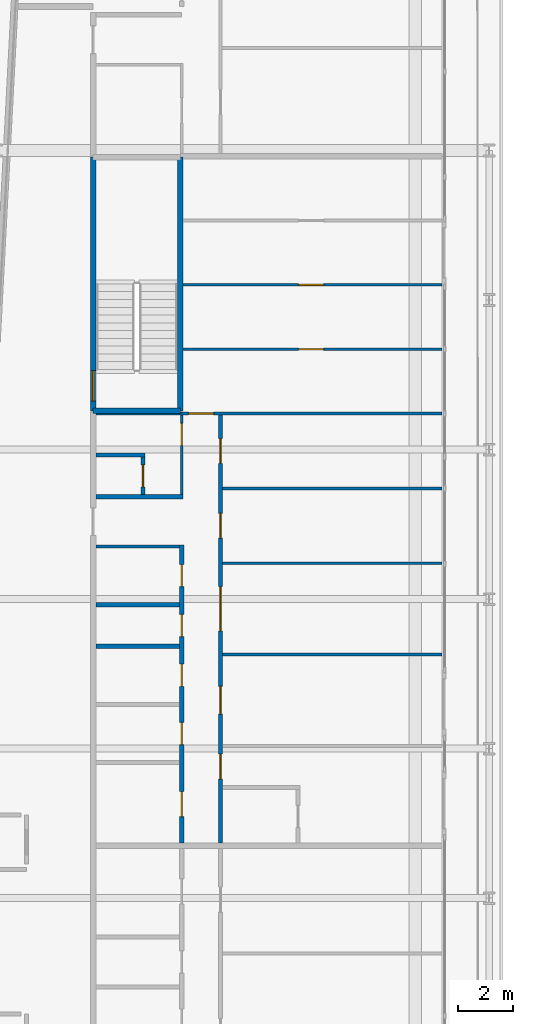
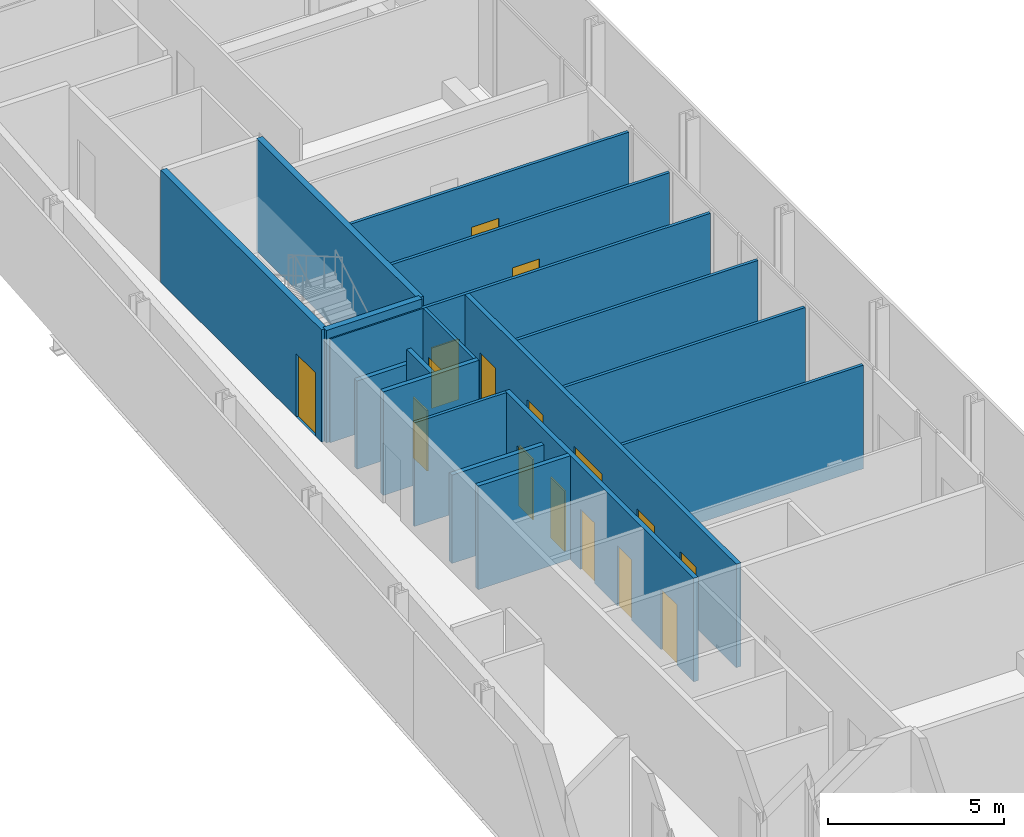
# One storey, part 18 of 28: 18 walls, 16 doors, 16 openings.
"""IFC4 building model written with IfcOpenShell, lengths in metres."""

from ifc_helpers import new_model, si_unit, direction, frame, frame_2d, origin, place, context, subcontext, project, spatial, rectangle, extrude, source, transform, mapped, material, layer, layer_set, type_object, element, fill, save


model = new_model("IFC4")

# Units and contexts
model_context = context("Model", 3, precision=1e-05, world=origin(), true_north=direction((0.0, 1.0)))
body_context = subcontext(model_context, "Body", "Model", "MODEL_VIEW")
ifc_project = project(units=[si_unit("LENGTHUNIT", "METRE"), si_unit("AREAUNIT", "SQUARE_METRE"), si_unit("VOLUMEUNIT", "CUBIC_METRE"), si_unit("PLANEANGLEUNIT", "RADIAN"), si_unit("MASSUNIT", "GRAM", prefix="KILO")], contexts=[model_context])

# Site, building, storey
site_placement = place(None, origin())
site = spatial("IfcSite", under=ifc_project, at=site_placement, CompositionType="ELEMENT")
building_placement = place(site_placement, origin())
building = spatial("IfcBuilding", under=site, at=building_placement, Name="Kheshtan School and Residences Tower", CompositionType="ELEMENT")
storey_placement = place(building_placement, frame((0.0, 0.0, 129.199951171875)))
storey = spatial("IfcBuildingStorey", under=building, at=storey_placement, Name="L30", CompositionType="ELEMENT", Elevation=129.199951171875)

# Wall
ifc_material_1 = material(Name="Gypsum board on steel studs", Category="steel")
ifc_layer_1 = layer(ifc_material_1, 0.10009765625)
ifc_layer_set_1 = layer_set([ifc_layer_1], Name="Gypsum partition 100")
wall_type_1 = type_object("IfcWallType", Name="Gypsum partition 100", PredefinedType="PARTITIONING", material=ifc_layer_set_1)
wall_1_placement = place(storey_placement, frame((33.39990234375, 74.5, 0.0), z_axis=(0.0, 0.0, 1.0), x_axis=(1.0, 0.0, 0.0)))
element("IfcWall", 1, at=wall_1_placement, inside=storey, type_object=wall_type_1, Name="Partition L30-014", PredefinedType="PARTITIONING", context=body_context, shape_type="SweptSolid", body=[
    extrude(rectangle(XDim=3.025146484375, YDim=0.10009765625, at=frame_2d((1.5126953125, 0.0))), origin(), (0.0, 0.0, 1.0), 3.60009765625),
])

# Wall, opening, door
wall_2_placement = place(storey_placement, frame((33.39990234375, 79.300048828125, 0.0), z_axis=(0.0, 0.0, 1.0), x_axis=(1.0, 0.0, 0.0)))
wall_2 = element("IfcWall", 2, at=wall_2_placement, inside=storey, type_object=wall_type_1, Name="Partition L30-017", PredefinedType="PARTITIONING", context=body_context, shape_type="SweptSolid", body=[
    extrude(rectangle(XDim=12.5, YDim=0.10009765625, at=frame_2d((6.25, 0.0))), origin(), (0.0, 0.0, 1.0), 3.60009765625),
])
opening_1_placement = place(wall_2_placement, frame((3.35009765625, 0.0, 0.0)))
opening_1 = element("IfcOpeningElement", 3, at=opening_1_placement, cuts=wall_2, Name="Opening D29-053", PredefinedType="OPENING", context=body_context, shape_type="SweptSolid", body=[
    extrude(rectangle(XDim=0.89990234375, YDim=2.10009765625, at=frame_2d((0.449951171875, 1.050048828125))), frame((0.0, 0.06005859375, 0.0), z_axis=(0.0, -1.0, 0.0), x_axis=(1.0, 0.0, 0.0)), (0.0, 0.0, 1.0), 0.1201171875),
])
ifc_material_2 = material(Name="Veneered timber door leaf", Category="wood")
door_type_1 = type_object("IfcDoorType", Name="Door 900 x 2100", OperationType="SINGLE_SWING_LEFT", PredefinedType="DOOR", material=ifc_material_2)
shared_shape_1 = source(origin(), body_context, "Body", "SweptSolid", [
    extrude(rectangle(XDim=0.89990234375, YDim=2.10009765625, at=frame_2d((0.449951171875, 1.050048828125))), frame((0.0, 0.02490234375, 0.0), z_axis=(0.0, -1.0, 0.0), x_axis=(1.0, 0.0, 0.0)), (0.0, 0.0, 1.0), 0.050048828125),
])
door_1_placement = place(opening_1_placement, origin())
door_1 = element("IfcDoor", 4, at=door_1_placement, inside=storey, type_object=door_type_1, Name="Door D29-053", OperationType="SINGLE_SWING_LEFT", OverallHeight=2.10009765625, OverallWidth=0.89990234375, PredefinedType="DOOR", context=body_context, shape_type="MappedRepresentation", body=[
    mapped(shared_shape_1, transform((0.0, 0.0, 0.0), x_axis=(1.0, 0.0, 0.0), y_axis=(0.0, 1.0, 0.0), z_axis=(0.0, 0.0, 1.0), scale=1.0)),
])
fill(opening_1, door_1)

wall_3_placement = place(storey_placement, frame((36.5, 76.375, 0.0), z_axis=(0.0, 0.0, 1.0), x_axis=(0.0, 1.0, 0.0)))
wall_3 = element("IfcWall", 5, at=wall_3_placement, inside=storey, type_object=wall_type_1, Name="Partition L30-026", PredefinedType="PARTITIONING", context=body_context, shape_type="SweptSolid", body=[
    extrude(rectangle(XDim=2.875, YDim=0.10009765625, at=frame_2d((1.4375, 0.0))), origin(), (0.0, 0.0, 1.0), 3.60009765625),
])
opening_2_placement = place(wall_3_placement, frame((1.77490234375, 0.0, 0.0)))
opening_2 = element("IfcOpeningElement", 6, at=opening_2_placement, cuts=wall_3, Name="Opening D29-048", PredefinedType="OPENING", context=body_context, shape_type="SweptSolid", body=[
    extrude(rectangle(XDim=0.800048828125, YDim=2.10009765625, at=frame_2d((0.39990234375, 1.050048828125))), frame((0.0, 0.06005859375, 0.0), z_axis=(0.0, -1.0, 0.0), x_axis=(1.0, 0.0, 0.0)), (0.0, 0.0, 1.0), 0.1201171875),
])
door_type_2 = type_object("IfcDoorType", Name="Door 800 x 2100", OperationType="SINGLE_SWING_LEFT", PredefinedType="DOOR", material=ifc_material_2)
shared_shape_2 = source(origin(), body_context, "Body", "SweptSolid", [
    extrude(rectangle(XDim=0.800048828125, YDim=2.10009765625, at=frame_2d((0.39990234375, 1.050048828125))), frame((0.0, 0.02490234375, 0.0), z_axis=(0.0, -1.0, 0.0), x_axis=(1.0, 0.0, 0.0)), (0.0, 0.0, 1.0), 0.050048828125),
])
door_2_placement = place(opening_2_placement, origin())
door_2 = element("IfcDoor", 7, at=door_2_placement, inside=storey, type_object=door_type_2, Name="Door D29-048", OperationType="SINGLE_SWING_RIGHT", OverallHeight=2.10009765625, OverallWidth=0.800048828125, PredefinedType="DOOR", context=body_context, shape_type="MappedRepresentation", body=[
    mapped(shared_shape_2, transform((0.0, 0.0, 0.0), x_axis=(1.0, 0.0, 0.0), y_axis=(0.0, 1.0, 0.0), z_axis=(0.0, 0.0, 1.0), scale=1.0)),
])
fill(opening_2, door_2)

wall_4_placement = place(storey_placement, frame((36.549072265625, 81.625, 0.0), z_axis=(0.0, 0.0, 1.0), x_axis=(1.0, 0.0, 0.0)))
wall_4 = element("IfcWall", 8, at=wall_4_placement, inside=storey, type_object=wall_type_1, Name="Partition L30-029", PredefinedType="PARTITIONING", context=body_context, shape_type="SweptSolid", body=[
    extrude(rectangle(XDim=9.350830078125, YDim=0.10009765625, at=frame_2d((4.67529296875, 0.0))), origin(), (0.0, 0.0, 1.0), 3.60009765625),
])
opening_3_placement = place(wall_4_placement, frame((4.176025390625, 0.0, 0.0)))
opening_3 = element("IfcOpeningElement", 9, at=opening_3_placement, cuts=wall_4, Name="Opening D29-054", PredefinedType="OPENING", context=body_context, shape_type="SweptSolid", body=[
    extrude(rectangle(XDim=0.89990234375, YDim=2.10009765625, at=frame_2d((0.449951171875, 1.050048828125))), frame((0.0, 0.06005859375, 0.0), z_axis=(0.0, -1.0, 0.0), x_axis=(1.0, 0.0, 0.0)), (0.0, 0.0, 1.0), 0.1201171875),
])
door_3_placement = place(opening_3_placement, origin())
door_3 = element("IfcDoor", 10, at=door_3_placement, inside=storey, type_object=door_type_1, Name="Door D29-054", OperationType="SINGLE_SWING_RIGHT", OverallHeight=2.10009765625, OverallWidth=0.89990234375, PredefinedType="DOOR", context=body_context, shape_type="MappedRepresentation", body=[
    mapped(shared_shape_1, transform((0.0, 0.0, 0.0), x_axis=(1.0, 0.0, 0.0), y_axis=(0.0, 1.0, 0.0), z_axis=(0.0, 0.0, 1.0), scale=1.0)),
])
fill(opening_3, door_3)

wall_5_placement = place(storey_placement, frame((36.549072265625, 83.949951171875, 0.0), z_axis=(0.0, 0.0, 1.0), x_axis=(1.0, 0.0, 0.0)))
wall_5 = element("IfcWall", 11, at=wall_5_placement, inside=storey, type_object=wall_type_1, Name="Partition L30-030", PredefinedType="PARTITIONING", context=body_context, shape_type="SweptSolid", body=[
    extrude(rectangle(XDim=9.350830078125, YDim=0.10009765625, at=frame_2d((4.67529296875, 0.0))), origin(), (0.0, 0.0, 1.0), 3.60009765625),
])
opening_4_placement = place(wall_5_placement, frame((4.176025390625, 0.0, 0.0)))
opening_4 = element("IfcOpeningElement", 12, at=opening_4_placement, cuts=wall_5, Name="Opening D29-055", PredefinedType="OPENING", context=body_context, shape_type="SweptSolid", body=[
    extrude(rectangle(XDim=0.89990234375, YDim=2.10009765625, at=frame_2d((0.449951171875, 1.050048828125))), frame((0.0, 0.06005859375, 0.0), z_axis=(0.0, -1.0, 0.0), x_axis=(1.0, 0.0, 0.0)), (0.0, 0.0, 1.0), 0.1201171875),
])
door_4_placement = place(opening_4_placement, origin())
door_4 = element("IfcDoor", 13, at=door_4_placement, inside=storey, type_object=door_type_1, Name="Door D29-055", OperationType="SINGLE_SWING_RIGHT", OverallHeight=2.10009765625, OverallWidth=0.89990234375, PredefinedType="DOOR", context=body_context, shape_type="MappedRepresentation", body=[
    mapped(shared_shape_1, transform((0.0, 0.0, 0.0), x_axis=(1.0, 0.0, 0.0), y_axis=(0.0, 1.0, 0.0), z_axis=(0.0, 0.0, 1.0), scale=1.0)),
])
fill(opening_4, door_4)

# Walls
for number, where, z_axis, x_axis, name in (
    (14, (37.97509765625, 70.60009765625, 0.0), (0.0, 0.0, 1.0), (1.0, 0.0, 0.0), "Partition L30-039"),
    (15, (37.97509765625, 73.89990234375, 0.0), (0.0, 0.0, 1.0), (1.0, 0.0, 0.0), "Partition L30-040"),
    (16, (37.97509765625, 76.60009765625, 0.0), (0.0, 0.0, 1.0), (1.0, 0.0, 0.0), "Partition L30-041"),
):
    element("IfcWall", number, at=place(storey_placement, frame(where, z_axis=z_axis, x_axis=x_axis)), inside=storey, type_object=wall_type_1, Name=name, PredefinedType="PARTITIONING", context=body_context, shape_type="SweptSolid", body=[
        extrude(rectangle(XDim=7.9248046875, YDim=0.10009765625, at=frame_2d((3.96240234375, 0.0))), origin(), (0.0, 0.0, 1.0), 3.60009765625),
    ])
ifc_material_3 = material(Name="Concrete C40/50", Category="concrete")
ifc_layer_2 = layer(ifc_material_3, 0.199951171875)
ifc_layer_set_2 = layer_set([ifc_layer_2], Name="Stair enclosure wall 200 Concrete C40/50")
wall_type_2 = type_object("IfcWallType", Name="Stair enclosure wall 200 Concrete C40/50", PredefinedType="SHEAR", material=ifc_layer_set_2)
wall_6_placement = place(storey_placement, frame((33.300048828125, 79.39990234375, 0.0), z_axis=(0.0, 0.0, 1.0), x_axis=(1.0, 0.0, 0.0)))
element("IfcWall", 17, at=wall_6_placement, inside=storey, type_object=wall_type_2, Name="Stair enclosure wall ST3", PredefinedType="SHEAR", context=body_context, shape_type="SweptSolid", body=[
    extrude(rectangle(XDim=3.14990234375, YDim=0.199951171875, at=frame_2d((1.574951171875, 0.0))), origin(), (0.0, 0.0, 1.0), 3.900146484375),
])

# Wall, opening, door
wall_7_placement = place(storey_placement, frame((33.300048828125, 79.39990234375, 0.0), z_axis=(0.0, 0.0, 1.0), x_axis=(0.0, 1.0, 0.0)))
wall_7 = element("IfcWall", 18, at=wall_7_placement, inside=storey, type_object=wall_type_2, Name="Stair enclosure wall ST3", PredefinedType="SHEAR", context=body_context, shape_type="SweptSolid", body=[
    extrude(rectangle(XDim=9.16015625, YDim=0.199951171875, at=frame_2d((4.580078125, 0.0))), origin(), (0.0, 0.0, 1.0), 3.900146484375),
])
opening_5_placement = place(wall_7_placement, frame((0.35009765625, 0.0, 0.0)))
opening_5 = element("IfcOpeningElement", 19, at=opening_5_placement, cuts=wall_7, Name="Opening ST3D", PredefinedType="OPENING", context=body_context, shape_type="SweptSolid", body=[
    extrude(rectangle(XDim=1.10009765625, YDim=2.199951171875, at=frame_2d((0.550048828125, 1.10009765625))), frame((0.0, 0.10986328125, 0.0), z_axis=(0.0, -1.0, 0.0), x_axis=(1.0, 0.0, 0.0)), (0.0, 0.0, 1.0), 0.219970703125),
])
ifc_material_4 = material(Name="Steel door leaf, galvanised", Category="steel")
door_type_3 = type_object("IfcDoorType", Name="Stair door 1100 steel 90 min", OperationType="SINGLE_SWING_LEFT", PredefinedType="DOOR", material=ifc_material_4)
shared_shape_3 = source(origin(), body_context, "Body", "SweptSolid", [
    extrude(rectangle(XDim=1.10009765625, YDim=2.199951171875, at=frame_2d((0.550048828125, 1.10009765625))), frame((0.0, 0.02490234375, 0.0), z_axis=(0.0, -1.0, 0.0), x_axis=(1.0, 0.0, 0.0)), (0.0, 0.0, 1.0), 0.050048828125),
])
door_5_placement = place(opening_5_placement, origin())
door_5 = element("IfcDoor", 20, at=door_5_placement, inside=storey, type_object=door_type_3, Name="Stair ST3 door", OperationType="SINGLE_SWING_RIGHT", OverallHeight=2.199951171875, OverallWidth=1.10009765625, PredefinedType="DOOR", context=body_context, shape_type="MappedRepresentation", body=[
    mapped(shared_shape_3, transform((0.0, 0.0, 0.0), x_axis=(1.0, 0.0, 0.0), y_axis=(0.0, 1.0, 0.0), z_axis=(0.0, 0.0, 1.0), scale=1.0)),
])
fill(opening_5, door_5)

# Walls
wall_8_placement = place(storey_placement, frame((36.449951171875, 79.39990234375, 0.0), z_axis=(0.0, 0.0, 1.0), x_axis=(0.0, 1.0, 0.0)))
element("IfcWall", 21, at=wall_8_placement, inside=storey, type_object=wall_type_2, Name="Stair enclosure wall ST3", PredefinedType="SHEAR", context=body_context, shape_type="SweptSolid", body=[
    extrude(rectangle(XDim=9.16015625, YDim=0.199951171875, at=frame_2d((4.580078125, 0.0))), origin(), (0.0, 0.0, 1.0), 3.900146484375),
])
ifc_material_5 = material(Name="Moisture-resistant gypsum board on steel studs", Category="steel")
ifc_layer_3 = layer(ifc_material_5, 0.14990234375)
ifc_layer_set_3 = layer_set([ifc_layer_3], Name="Wet-room partition 150")
wall_type_3 = type_object("IfcWallType", Name="Wet-room partition 150", PredefinedType="PARTITIONING", material=ifc_layer_set_3)
wall_9_placement = place(storey_placement, frame((33.39990234375, 70.89990234375, 0.0), z_axis=(0.0, 0.0, 1.0), x_axis=(1.0, 0.0, 0.0)))
element("IfcWall", 22, at=wall_9_placement, inside=storey, type_object=wall_type_3, Name="Partition L30-012", PredefinedType="PARTITIONING", context=body_context, shape_type="SweptSolid", body=[
    extrude(rectangle(XDim=3.025146484375, YDim=0.14990234375, at=frame_2d((1.5126953125, 0.0))), origin(), (0.0, 0.0, 1.0), 3.60009765625),
])
wall_10_placement = place(storey_placement, frame((33.39990234375, 72.39990234375, 0.0), z_axis=(0.0, 0.0, 1.0), x_axis=(1.0, 0.0, 0.0)))
element("IfcWall", 23, at=wall_10_placement, inside=storey, type_object=wall_type_3, Name="Partition L30-013", PredefinedType="PARTITIONING", context=body_context, shape_type="SweptSolid", body=[
    extrude(rectangle(XDim=3.025146484375, YDim=0.14990234375, at=frame_2d((1.5126953125, 0.0))), origin(), (0.0, 0.0, 1.0), 3.072021484375),
])
wall_11_placement = place(storey_placement, frame((33.39990234375, 76.300048828125, 0.0), z_axis=(0.0, 0.0, 1.0), x_axis=(1.0, 0.0, 0.0)))
element("IfcWall", 24, at=wall_11_placement, inside=storey, type_object=wall_type_3, Name="Partition L30-015", PredefinedType="PARTITIONING", context=body_context, shape_type="SweptSolid", body=[
    extrude(rectangle(XDim=3.150146484375, YDim=0.14990234375, at=frame_2d((1.5751953125, 0.0))), origin(), (0.0, 0.0, 1.0), 3.60009765625),
])
wall_12_placement = place(storey_placement, frame((33.39990234375, 77.800048828125, 0.0), z_axis=(0.0, 0.0, 1.0), x_axis=(1.0, 0.0, 0.0)))
element("IfcWall", 25, at=wall_12_placement, inside=storey, type_object=wall_type_3, Name="Partition L30-016", PredefinedType="PARTITIONING", context=body_context, shape_type="SweptSolid", body=[
    extrude(rectangle(XDim=1.775146484375, YDim=0.14990234375, at=frame_2d((0.8876953125, 0.0))), origin(), (0.0, 0.0, 1.0), 3.072021484375),
])

# Wall, opening, door
wall_13_placement = place(storey_placement, frame((35.10009765625, 76.375, 0.0), z_axis=(0.0, 0.0, 1.0), x_axis=(0.0, 1.0, 0.0)))
wall_13 = element("IfcWall", 26, at=wall_13_placement, inside=storey, type_object=wall_type_3, Name="Partition L30-022", PredefinedType="PARTITIONING", context=body_context, shape_type="SweptSolid", body=[
    extrude(rectangle(XDim=1.35009765625, YDim=0.14990234375, at=frame_2d((0.675048828125, 0.0))), origin(), (0.0, 0.0, 1.0), 3.60009765625),
])
opening_6_placement = place(wall_13_placement, frame((0.27490234375, 0.0, 0.0)))
opening_6 = element("IfcOpeningElement", 27, at=opening_6_placement, cuts=wall_13, Name="Opening D29-049", PredefinedType="OPENING", context=body_context, shape_type="SweptSolid", body=[
    extrude(rectangle(XDim=0.800048828125, YDim=2.10009765625, at=frame_2d((0.39990234375, 1.050048828125))), frame((0.0, 0.0849609375, 0.0), z_axis=(0.0, -1.0, 0.0), x_axis=(1.0, 0.0, 0.0)), (0.0, 0.0, 1.0), 0.169921875),
])
door_6_placement = place(opening_6_placement, origin())
door_6 = element("IfcDoor", 28, at=door_6_placement, inside=storey, type_object=door_type_2, Name="Door D29-049", OperationType="SINGLE_SWING_LEFT", OverallHeight=2.10009765625, OverallWidth=0.800048828125, PredefinedType="DOOR", context=body_context, shape_type="MappedRepresentation", body=[
    mapped(shared_shape_2, transform((0.0, 0.0, 0.0), x_axis=(1.0, 0.0, 0.0), y_axis=(0.0, 1.0, 0.0), z_axis=(0.0, 0.0, 1.0), scale=1.0)),
])
fill(opening_6, door_6)

# Wall, openings, doors
wall_14_placement = place(storey_placement, frame((36.5, 63.800048828125, 0.0), z_axis=(0.0, 0.0, 1.0), x_axis=(0.0, 1.0, 0.0)))
wall_14 = element("IfcWall", 29, at=wall_14_placement, inside=storey, type_object=wall_type_3, Name="Partition L30-025", PredefinedType="PARTITIONING", context=body_context, shape_type="SweptSolid", body=[
    extrude(rectangle(XDim=10.75, YDim=0.14990234375, at=frame_2d((5.375, 0.0))), origin(), (0.0, 0.0, 1.0), 3.60009765625),
])
opening_7_placement = place(wall_14_placement, frame((3.550048828125, 0.0, 0.0)))
opening_7 = element("IfcOpeningElement", 30, at=opening_7_placement, cuts=wall_14, Name="Opening D29-039", PredefinedType="OPENING", context=body_context, shape_type="SweptSolid", body=[
    extrude(rectangle(XDim=0.800048828125, YDim=2.10009765625, at=frame_2d((0.39990234375, 1.050048828125))), frame((0.0, 0.0849609375, 0.0), z_axis=(0.0, -1.0, 0.0), x_axis=(1.0, 0.0, 0.0)), (0.0, 0.0, 1.0), 0.169921875),
])
opening_8_placement = place(wall_14_placement, frame((5.64990234375, 0.0, 0.0)))
opening_8 = element("IfcOpeningElement", 31, at=opening_8_placement, cuts=wall_14, Name="Opening D29-040", PredefinedType="OPENING", context=body_context, shape_type="SweptSolid", body=[
    extrude(rectangle(XDim=0.800048828125, YDim=2.10009765625, at=frame_2d((0.39990234375, 1.050048828125))), frame((0.0, 0.0849609375, 0.0), z_axis=(0.0, -1.0, 0.0), x_axis=(1.0, 0.0, 0.0)), (0.0, 0.0, 1.0), 0.169921875),
])
opening_9_placement = place(wall_14_placement, frame((9.25, 0.0, 0.0)))
opening_9 = element("IfcOpeningElement", 32, at=opening_9_placement, cuts=wall_14, Name="Opening D29-043", PredefinedType="OPENING", context=body_context, shape_type="SweptSolid", body=[
    extrude(rectangle(XDim=0.800048828125, YDim=2.10009765625, at=frame_2d((0.39990234375, 1.050048828125))), frame((0.0, 0.0849609375, 0.0), z_axis=(0.0, -1.0, 0.0), x_axis=(1.0, 0.0, 0.0)), (0.0, 0.0, 1.0), 0.169921875),
])
opening_10_placement = place(wall_14_placement, frame((0.949951171875, 0.0, 0.0)))
opening_10 = element("IfcOpeningElement", 33, at=opening_10_placement, cuts=wall_14, Name="Opening D29-046", PredefinedType="OPENING", context=body_context, shape_type="SweptSolid", body=[
    extrude(rectangle(XDim=0.89990234375, YDim=2.10009765625, at=frame_2d((0.449951171875, 1.050048828125))), frame((0.0, 0.0849609375, 0.0), z_axis=(0.0, -1.0, 0.0), x_axis=(1.0, 0.0, 0.0)), (0.0, 0.0, 1.0), 0.169921875),
])
opening_11_placement = place(wall_14_placement, frame((7.449951171875, 0.0, 0.0)))
opening_11 = element("IfcOpeningElement", 34, at=opening_11_placement, cuts=wall_14, Name="Opening D29-052", PredefinedType="OPENING", context=body_context, shape_type="SweptSolid", body=[
    extrude(rectangle(XDim=0.800048828125, YDim=2.10009765625, at=frame_2d((0.39990234375, 1.050048828125))), frame((0.0, 0.0849609375, 0.0), z_axis=(0.0, -1.0, 0.0), x_axis=(1.0, 0.0, 0.0)), (0.0, 0.0, 1.0), 0.169921875),
])
door_7_placement = place(opening_7_placement, origin())
door_7 = element("IfcDoor", 35, at=door_7_placement, inside=storey, type_object=door_type_2, Name="Door D29-039", OperationType="SINGLE_SWING_RIGHT", OverallHeight=2.10009765625, OverallWidth=0.800048828125, PredefinedType="DOOR", context=body_context, shape_type="MappedRepresentation", body=[
    mapped(shared_shape_2, transform((0.0, 0.0, 0.0), x_axis=(1.0, 0.0, 0.0), y_axis=(0.0, 1.0, 0.0), z_axis=(0.0, 0.0, 1.0), scale=1.0)),
])
fill(opening_7, door_7)
door_8_placement = place(opening_8_placement, origin())
door_8 = element("IfcDoor", 36, at=door_8_placement, inside=storey, type_object=door_type_2, Name="Door D29-040", OperationType="SINGLE_SWING_RIGHT", OverallHeight=2.10009765625, OverallWidth=0.800048828125, PredefinedType="DOOR", context=body_context, shape_type="MappedRepresentation", body=[
    mapped(shared_shape_2, transform((0.0, 0.0, 0.0), x_axis=(1.0, 0.0, 0.0), y_axis=(0.0, 1.0, 0.0), z_axis=(0.0, 0.0, 1.0), scale=1.0)),
])
fill(opening_8, door_8)
door_9_placement = place(opening_9_placement, origin())
door_9 = element("IfcDoor", 37, at=door_9_placement, inside=storey, type_object=door_type_2, Name="Door D29-043", OperationType="SINGLE_SWING_RIGHT", OverallHeight=2.10009765625, OverallWidth=0.800048828125, PredefinedType="DOOR", context=body_context, shape_type="MappedRepresentation", body=[
    mapped(shared_shape_2, transform((0.0, 0.0, 0.0), x_axis=(1.0, 0.0, 0.0), y_axis=(0.0, 1.0, 0.0), z_axis=(0.0, 0.0, 1.0), scale=1.0)),
])
fill(opening_9, door_9)
door_10_placement = place(opening_11_placement, origin())
door_10 = element("IfcDoor", 38, at=door_10_placement, inside=storey, type_object=door_type_2, Name="Door D29-052", OperationType="SINGLE_SWING_RIGHT", OverallHeight=2.10009765625, OverallWidth=0.800048828125, PredefinedType="DOOR", context=body_context, shape_type="MappedRepresentation", body=[
    mapped(shared_shape_2, transform((0.0, 0.0, 0.0), x_axis=(1.0, 0.0, 0.0), y_axis=(0.0, 1.0, 0.0), z_axis=(0.0, 0.0, 1.0), scale=1.0)),
])
fill(opening_11, door_10)
door_11_placement = place(opening_10_placement, origin())
door_11 = element("IfcDoor", 39, at=door_11_placement, inside=storey, type_object=door_type_1, Name="Door D29-046", OperationType="SINGLE_SWING_RIGHT", OverallHeight=2.10009765625, OverallWidth=0.89990234375, PredefinedType="DOOR", context=body_context, shape_type="MappedRepresentation", body=[
    mapped(shared_shape_1, transform((0.0, 0.0, 0.0), x_axis=(1.0, 0.0, 0.0), y_axis=(0.0, 1.0, 0.0), z_axis=(0.0, 0.0, 1.0), scale=1.0)),
])
fill(opening_10, door_11)

wall_15_placement = place(storey_placement, frame((37.89990234375, 63.800048828125, 0.0), z_axis=(0.0, 0.0, 1.0), x_axis=(0.0, 1.0, 0.0)))
wall_15 = element("IfcWall", 40, at=wall_15_placement, inside=storey, type_object=wall_type_3, Name="Partition L30-033", PredefinedType="PARTITIONING", context=body_context, shape_type="SweptSolid", body=[
    extrude(rectangle(XDim=15.449951171875, YDim=0.14990234375, at=frame_2d((7.72509765625, 0.0))), origin(), (0.0, 0.0, 1.0), 3.60009765625),
])
opening_12_placement = place(wall_15_placement, frame((11.0, 0.0, 0.0)))
opening_12 = element("IfcOpeningElement", 41, at=opening_12_placement, cuts=wall_15, Name="Opening D29-041", PredefinedType="OPENING", context=body_context, shape_type="SweptSolid", body=[
    extrude(rectangle(XDim=0.89990234375, YDim=2.10009765625, at=frame_2d((0.449951171875, 1.050048828125))), frame((0.0, 0.0849609375, 0.0), z_axis=(0.0, -1.0, 0.0), x_axis=(1.0, 0.0, 0.0)), (0.0, 0.0, 1.0), 0.169921875),
])
opening_13_placement = place(wall_15_placement, frame((13.699951171875, 0.0, 0.0)))
opening_13 = element("IfcOpeningElement", 42, at=opening_13_placement, cuts=wall_15, Name="Opening D29-042", PredefinedType="OPENING", context=body_context, shape_type="SweptSolid", body=[
    extrude(rectangle(XDim=0.89990234375, YDim=2.10009765625, at=frame_2d((0.449951171875, 1.050048828125))), frame((0.0, 0.0849609375, 0.0), z_axis=(0.0, -1.0, 0.0), x_axis=(1.0, 0.0, 0.0)), (0.0, 0.0, 1.0), 0.169921875),
])
opening_14_placement = place(wall_15_placement, frame((4.64990234375, 0.0, 0.0)))
opening_14 = element("IfcOpeningElement", 43, at=opening_14_placement, cuts=wall_15, Name="Opening D29-047", PredefinedType="OPENING", context=body_context, shape_type="SweptSolid", body=[
    extrude(rectangle(XDim=1.0, YDim=2.10009765625, at=frame_2d((0.5, 1.050048828125))), frame((0.0, 0.0849609375, 0.0), z_axis=(0.0, -1.0, 0.0), x_axis=(1.0, 0.0, 0.0)), (0.0, 0.0, 1.0), 0.169921875),
])
opening_15_placement = place(wall_15_placement, frame((7.64990234375, 0.0, 0.0)))
opening_15 = element("IfcOpeningElement", 44, at=opening_15_placement, cuts=wall_15, Name="Opening D29-050", PredefinedType="OPENING", context=body_context, shape_type="SweptSolid", body=[
    extrude(rectangle(XDim=1.60009765625, YDim=2.10009765625, at=frame_2d((0.800048828125, 1.050048828125))), frame((0.0, 0.0849609375, 0.0), z_axis=(0.0, -1.0, 0.0), x_axis=(1.0, 0.0, 0.0)), (0.0, 0.0, 1.0), 0.169921875),
])
opening_16_placement = place(wall_15_placement, frame((2.300048828125, 0.0, 0.0)))
opening_16 = element("IfcOpeningElement", 45, at=opening_16_placement, cuts=wall_15, Name="Opening D29-051", PredefinedType="OPENING", context=body_context, shape_type="SweptSolid", body=[
    extrude(rectangle(XDim=0.89990234375, YDim=2.10009765625, at=frame_2d((0.449951171875, 1.050048828125))), frame((0.0, 0.0849609375, 0.0), z_axis=(0.0, -1.0, 0.0), x_axis=(1.0, 0.0, 0.0)), (0.0, 0.0, 1.0), 0.169921875),
])
door_type_4 = type_object("IfcDoorType", Name="Door 1000 x 2100", OperationType="SINGLE_SWING_LEFT", PredefinedType="DOOR", material=ifc_material_2)
shared_shape_4 = source(origin(), body_context, "Body", "SweptSolid", [
    extrude(rectangle(XDim=1.0, YDim=2.10009765625, at=frame_2d((0.5, 1.050048828125))), frame((0.0, 0.02490234375, 0.0), z_axis=(0.0, -1.0, 0.0), x_axis=(1.0, 0.0, 0.0)), (0.0, 0.0, 1.0), 0.050048828125),
])
door_12_placement = place(opening_14_placement, origin())
door_12 = element("IfcDoor", 46, at=door_12_placement, inside=storey, type_object=door_type_4, Name="Door D29-047", OperationType="SINGLE_SWING_LEFT", OverallHeight=2.10009765625, OverallWidth=1.0, PredefinedType="DOOR", context=body_context, shape_type="MappedRepresentation", body=[
    mapped(shared_shape_4, transform((0.0, 0.0, 0.0), x_axis=(1.0, 0.0, 0.0), y_axis=(0.0, 1.0, 0.0), z_axis=(0.0, 0.0, 1.0), scale=1.0)),
])
fill(opening_14, door_12)
door_13_placement = place(opening_12_placement, origin())
door_13 = element("IfcDoor", 47, at=door_13_placement, inside=storey, type_object=door_type_1, Name="Door D29-041", OperationType="SINGLE_SWING_LEFT", OverallHeight=2.10009765625, OverallWidth=0.89990234375, PredefinedType="DOOR", context=body_context, shape_type="MappedRepresentation", body=[
    mapped(shared_shape_1, transform((0.0, 0.0, 0.0), x_axis=(1.0, 0.0, 0.0), y_axis=(0.0, 1.0, 0.0), z_axis=(0.0, 0.0, 1.0), scale=1.0)),
])
fill(opening_12, door_13)
door_14_placement = place(opening_13_placement, origin())
door_14 = element("IfcDoor", 48, at=door_14_placement, inside=storey, type_object=door_type_1, Name="Door D29-042", OperationType="SINGLE_SWING_RIGHT", OverallHeight=2.10009765625, OverallWidth=0.89990234375, PredefinedType="DOOR", context=body_context, shape_type="MappedRepresentation", body=[
    mapped(shared_shape_1, transform((0.0, 0.0, 0.0), x_axis=(1.0, 0.0, 0.0), y_axis=(0.0, 1.0, 0.0), z_axis=(0.0, 0.0, 1.0), scale=1.0)),
])
fill(opening_13, door_14)
door_15_placement = place(opening_16_placement, origin())
door_15 = element("IfcDoor", 49, at=door_15_placement, inside=storey, type_object=door_type_1, Name="Door D29-051", OperationType="SINGLE_SWING_RIGHT", OverallHeight=2.10009765625, OverallWidth=0.89990234375, PredefinedType="DOOR", context=body_context, shape_type="MappedRepresentation", body=[
    mapped(shared_shape_1, transform((0.0, 0.0, 0.0), x_axis=(1.0, 0.0, 0.0), y_axis=(0.0, 1.0, 0.0), z_axis=(0.0, 0.0, 1.0), scale=1.0)),
])
fill(opening_16, door_15)
door_type_5 = type_object("IfcDoorType", Name="Double door 1600 x 2100", OperationType="DOUBLE_DOOR_SINGLE_SWING", PredefinedType="DOOR", material=ifc_material_2)
shared_shape_5 = source(origin(), body_context, "Body", "SweptSolid", [
    extrude(rectangle(XDim=1.60009765625, YDim=2.10009765625, at=frame_2d((0.800048828125, 1.050048828125))), frame((0.0, 0.02490234375, 0.0), z_axis=(0.0, -1.0, 0.0), x_axis=(1.0, 0.0, 0.0)), (0.0, 0.0, 1.0), 0.050048828125),
])
door_16_placement = place(opening_15_placement, origin())
door_16 = element("IfcDoor", 50, at=door_16_placement, inside=storey, type_object=door_type_5, Name="Door D29-050", OperationType="DOUBLE_DOOR_SINGLE_SWING", OverallHeight=2.10009765625, OverallWidth=1.60009765625, PredefinedType="DOOR", context=body_context, shape_type="MappedRepresentation", body=[
    mapped(shared_shape_5, transform((0.0, 0.0, 0.0), x_axis=(1.0, 0.0, 0.0), y_axis=(0.0, 1.0, 0.0), z_axis=(0.0, 0.0, 1.0), scale=1.0)),
])
fill(opening_15, door_16)

save(model, "model.ifc")
